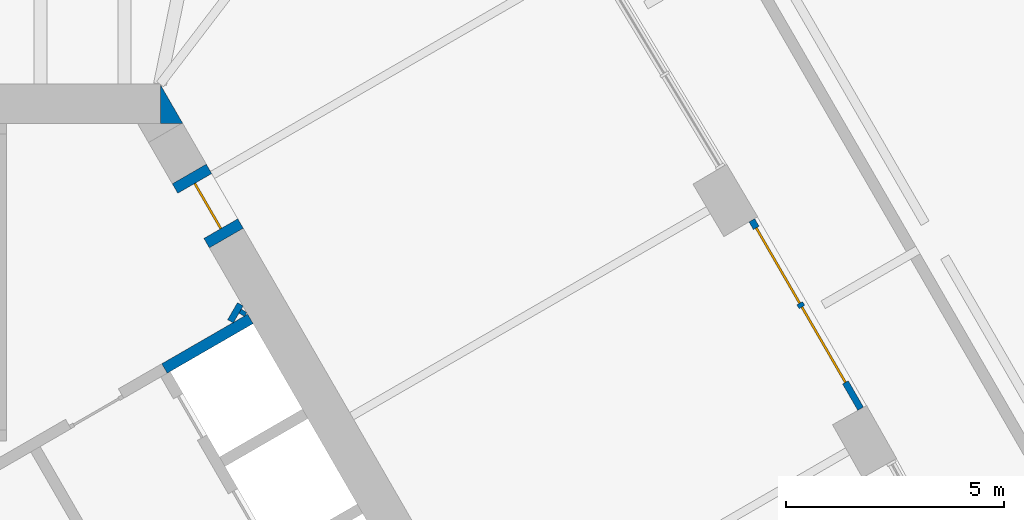
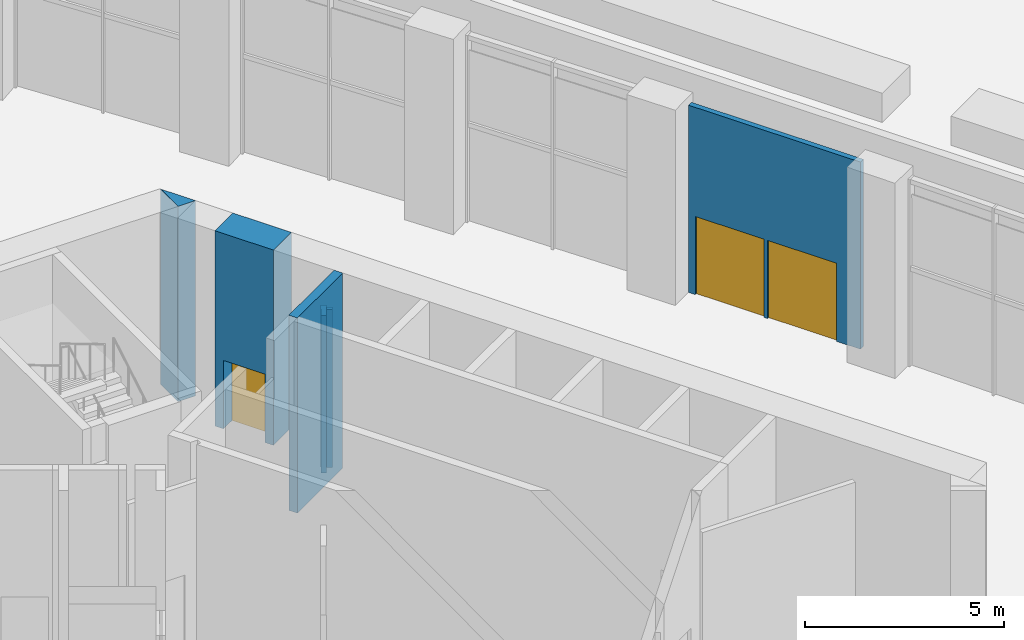
# One storey, part 28 of 41: 6 walls, 3 doors, 3 openings.
"""IFC4 building model written with IfcOpenShell, lengths in metres."""

from ifc_helpers import new_model, si_unit, direction, frame, frame_2d, origin, place, context, subcontext, project, spatial, polyline, rectangle, outline, extrude, material, layer, layer_set, type_object, element, fill, save


model = new_model("IFC4")

# Units and contexts
model_context = context("Model", 3, precision=1e-05, world=origin(), true_north=direction((0.0, 1.0)))
body_context = subcontext(model_context, "Body", "Model", "MODEL_VIEW")
ifc_project = project(units=[si_unit("LENGTHUNIT", "METRE"), si_unit("AREAUNIT", "SQUARE_METRE"), si_unit("VOLUMEUNIT", "CUBIC_METRE"), si_unit("PLANEANGLEUNIT", "RADIAN"), si_unit("MASSUNIT", "GRAM", prefix="KILO")], contexts=[model_context])

# Site, building, storey
site_placement = place(None, origin())
site = spatial("IfcSite", under=ifc_project, at=site_placement, CompositionType="ELEMENT")
building_placement = place(site_placement, origin())
building = spatial("IfcBuilding", under=site, at=building_placement, Name="Mestral Congress Tower", CompositionType="ELEMENT")
storey_placement = place(building_placement, frame((0.0, 0.0, 21.60009765625)))
storey = spatial("IfcBuildingStorey", under=building, at=storey_placement, Name="L04", CompositionType="ELEMENT", Elevation=21.60009765625)

# Walls
ifc_material_1 = material(Name="Fire-rated board partition")
ifc_layer_1 = layer(ifc_material_1, 0.14990234375)
ifc_layer_set_1 = layer_set([ifc_layer_1], Name="Fire-rated board partition")
wall_type_1 = type_object("IfcWallType", Name="Core partition 150", PredefinedType="PARTITIONING", material=ifc_layer_set_1)
wall_1_placement = place(storey_placement, frame((6.87158203125, 11.44970703125, 0.0), z_axis=(0.0, 0.0, 1.0), x_axis=(0.499846793097, 0.866113839764, 0.0)))
element("IfcWall", 1, at=wall_1_placement, inside=storey, type_object=wall_type_1, Name="L04 core wall", PredefinedType="PARTITIONING", context=body_context, shape_type="SweptSolid", body=[
    extrude(rectangle(XDim=0.453369140625, YDim=0.14990234375, at=frame_2d((0.2265625, 0.0))), origin(), (0.0, 0.0, 1.0), 4.849853515625),
])
wall_2_placement = place(storey_placement, frame((7.13134765625, 11.599609375, 0.0), z_axis=(0.0, 0.0, 1.0), x_axis=(0.498600033135, 0.866832167699, 0.0)))
element("IfcWall", 2, at=wall_2_placement, inside=storey, type_object=wall_type_1, Name="L04 core wall", PredefinedType="PARTITIONING", context=body_context, shape_type="SweptSolid", body=[
    extrude(rectangle(XDim=0.106689453125, YDim=0.14990234375, at=frame_2d((0.05322265625, 0.0))), origin(), (0.0, 0.0, 1.0), 4.849853515625),
])
ifc_material_2 = material(Name="Concrete C60/75", Category="concrete")
ifc_layer_2 = layer(ifc_material_2, 0.89990234375)
ifc_layer_set_2 = layer_set([ifc_layer_2], Name="Concrete C60/75")
wall_type_2 = type_object("IfcWallType", Name="Core wall RC 900", PredefinedType="SOLIDWALL", material=ifc_layer_set_2)
wall_3_placement = place(storey_placement, origin())
element("IfcWall", 3, at=wall_3_placement, inside=storey, type_object=wall_type_2, Name="L04 core wall", PredefinedType="SOLIDWALL", context=body_context, shape_type="SweptSolid", body=[
    extrude(outline(polyline([(5.265380859375, 16.0), (5.265380859375, 16.8798828125), (5.7734375, 16.0), (5.265380859375, 16.0)])), origin(), (0.0, 0.0, 1.0), 6.0),
])

# Wall, opening, door
wall_4_placement = place(storey_placement, frame((5.92578125, 14.836181640625, 0.0), z_axis=(0.0, 0.0, 1.0), x_axis=(0.500062241894, -0.865989465428, 0.0)))
wall_4 = element("IfcWall", 4, at=wall_4_placement, inside=storey, type_object=wall_type_2, Name="L04 door wall", PredefinedType="SOLIDWALL", context=body_context, shape_type="SweptSolid", body=[
    extrude(rectangle(XDim=1.699951171875, YDim=0.89990234375, at=frame_2d((0.85009765625, 0.0))), origin(), (0.0, 0.0, 1.0), 6.0),
])
opening_1_placement = place(wall_4_placement, frame((0.25, 0.0, 0.0)))
opening_1 = element("IfcOpeningElement", 5, at=opening_1_placement, cuts=wall_4, Name="Opening XD2", PredefinedType="OPENING", context=body_context, shape_type="SweptSolid", body=[
    extrude(rectangle(XDim=1.199951171875, YDim=2.10009765625, at=frame_2d((0.60009765625, 1.050048828125))), frame((0.0, 0.4599609375, 0.0), z_axis=(0.0, -1.0, 0.0), x_axis=(1.0, 0.0, 0.0)), (0.0, 0.0, 1.0), 0.919921875),
])
ifc_material_3 = material(Name="Fire-rated steel door set", Category="steel")
door_type_1 = type_object("IfcDoorType", Name="Core door XD 1200x2100", OperationType="SINGLE_SWING_LEFT", PredefinedType="DOOR", material=ifc_material_3)
door_1_placement = place(opening_1_placement, origin())
door_1 = element("IfcDoor", 6, at=door_1_placement, inside=storey, type_object=door_type_1, Name="Door XD2", OperationType="SINGLE_SWING_LEFT", OverallHeight=2.10009765625, OverallWidth=1.199951171875, PredefinedType="DOOR", context=body_context, shape_type="SweptSolid", body=[
    extrude(rectangle(XDim=1.199951171875, YDim=2.10009765625, at=frame_2d((0.60009765625, 1.050048828125))), frame((0.0, 0.02490234375, 0.0), z_axis=(0.0, -1.0, 0.0), x_axis=(1.0, 0.0, 0.0)), (0.0, 0.0, 1.0), 0.050048828125),
])
fill(opening_1, door_1)

# Wall, openings, doors
ifc_material_4 = material(Name="Aluminium-framed glazed screen", Category="aluminium")
ifc_layer_3 = layer(ifc_material_4, 0.14990234375)
ifc_layer_set_3 = layer_set([ifc_layer_3], Name="Aluminium-framed glazed screen")
wall_type_3 = type_object("IfcWallType", Name="Facade entrance screen 150", PredefinedType="SOLIDWALL", material=ifc_layer_set_3)
wall_5_placement = place(storey_placement, frame((18.853759765625, 13.77099609375, 0.0), z_axis=(0.0, 0.0, 1.0), x_axis=(0.499984603534, -0.866034292756, 0.0)))
wall_5 = element("IfcWall", 7, at=wall_5_placement, inside=storey, type_object=wall_type_3, Name="Entrance screen face 2", PredefinedType="SOLIDWALL", context=body_context, shape_type="SweptSolid", body=[
    extrude(rectangle(XDim=4.998291015625, YDim=0.14990234375, at=frame_2d((2.4990234375, 0.0))), origin(), (0.0, 0.0, 1.0), 5.75),
])
opening_2_placement = place(wall_5_placement, frame((0.199951171875, 0.0, 0.0)))
opening_2 = element("IfcOpeningElement", 8, at=opening_2_placement, cuts=wall_5, Name="Opening P04-503", PredefinedType="OPENING", context=body_context, shape_type="SweptSolid", body=[
    extrude(rectangle(XDim=2.0, YDim=2.39990234375, at=frame_2d((1.0, 1.199951171875))), frame((0.0, 0.0849609375, 0.0), z_axis=(0.0, -1.0, 0.0), x_axis=(1.0, 0.0, 0.0)), (0.0, 0.0, 1.0), 0.169921875),
])
opening_3_placement = place(wall_5_placement, frame((2.300048828125, 0.0, 0.0)))
opening_3 = element("IfcOpeningElement", 9, at=opening_3_placement, cuts=wall_5, Name="Opening P04-504", PredefinedType="OPENING", context=body_context, shape_type="SweptSolid", body=[
    extrude(rectangle(XDim=2.0, YDim=2.39990234375, at=frame_2d((1.0, 1.199951171875))), frame((0.0, 0.0849609375, 0.0), z_axis=(0.0, -1.0, 0.0), x_axis=(1.0, 0.0, 0.0)), (0.0, 0.0, 1.0), 0.169921875),
])
ifc_material_5 = material(Name="Steel and glass door set", Category="steel")
door_type_2 = type_object("IfcDoorType", Name="Podium entrance door 2000x2400", OperationType="DOUBLE_DOOR_SINGLE_SWING", PredefinedType="DOOR", material=ifc_material_5)
door_2_placement = place(opening_2_placement, origin())
door_2 = element("IfcDoor", 10, at=door_2_placement, inside=storey, type_object=door_type_2, Name="Door P04-503", OperationType="DOUBLE_DOOR_SINGLE_SWING", OverallHeight=2.39990234375, OverallWidth=2.0, PredefinedType="DOOR", context=body_context, shape_type="SweptSolid", body=[
    extrude(rectangle(XDim=2.0, YDim=2.39990234375, at=frame_2d((1.0, 1.199951171875))), frame((0.0, 0.02490234375, 0.0), z_axis=(0.0, -1.0, 0.0), x_axis=(1.0, 0.0, 0.0)), (0.0, 0.0, 1.0), 0.050048828125),
])
fill(opening_2, door_2)
door_3_placement = place(opening_3_placement, origin())
door_3 = element("IfcDoor", 11, at=door_3_placement, inside=storey, type_object=door_type_2, Name="Door P04-504", OperationType="DOUBLE_DOOR_SINGLE_SWING", OverallHeight=2.39990234375, OverallWidth=2.0, PredefinedType="DOOR", context=body_context, shape_type="SweptSolid", body=[
    extrude(rectangle(XDim=2.0, YDim=2.39990234375, at=frame_2d((1.0, 1.199951171875))), frame((0.0, 0.02490234375, 0.0), z_axis=(0.0, -1.0, 0.0), x_axis=(1.0, 0.0, 0.0)), (0.0, 0.0, 1.0), 0.050048828125),
])
fill(opening_3, door_3)

# Wall
ifc_layer_4 = layer(ifc_material_2, 0.25)
ifc_layer_set_4 = layer_set([ifc_layer_4], Name="Concrete C60/75")
wall_type_4 = type_object("IfcWallType", Name="Shaft wall RC 250", PredefinedType="SOLIDWALL", material=ifc_layer_set_4)
wall_6_placement = place(storey_placement, frame((5.356201171875, 10.366943359375, 0.0), z_axis=(0.0, 0.0, 1.0), x_axis=(0.865978535641, 0.50008116922, 0.0)))
element("IfcWall", 12, at=wall_6_placement, inside=storey, type_object=wall_type_4, Name="L04 core wall", PredefinedType="SOLIDWALL", context=body_context, shape_type="SweptSolid", body=[
    extrude(rectangle(XDim=2.27783203125, YDim=0.25, at=frame_2d((1.138916015625, 0.0))), origin(), (0.0, 0.0, 1.0), 6.0),
])

save(model, "model.ifc")
